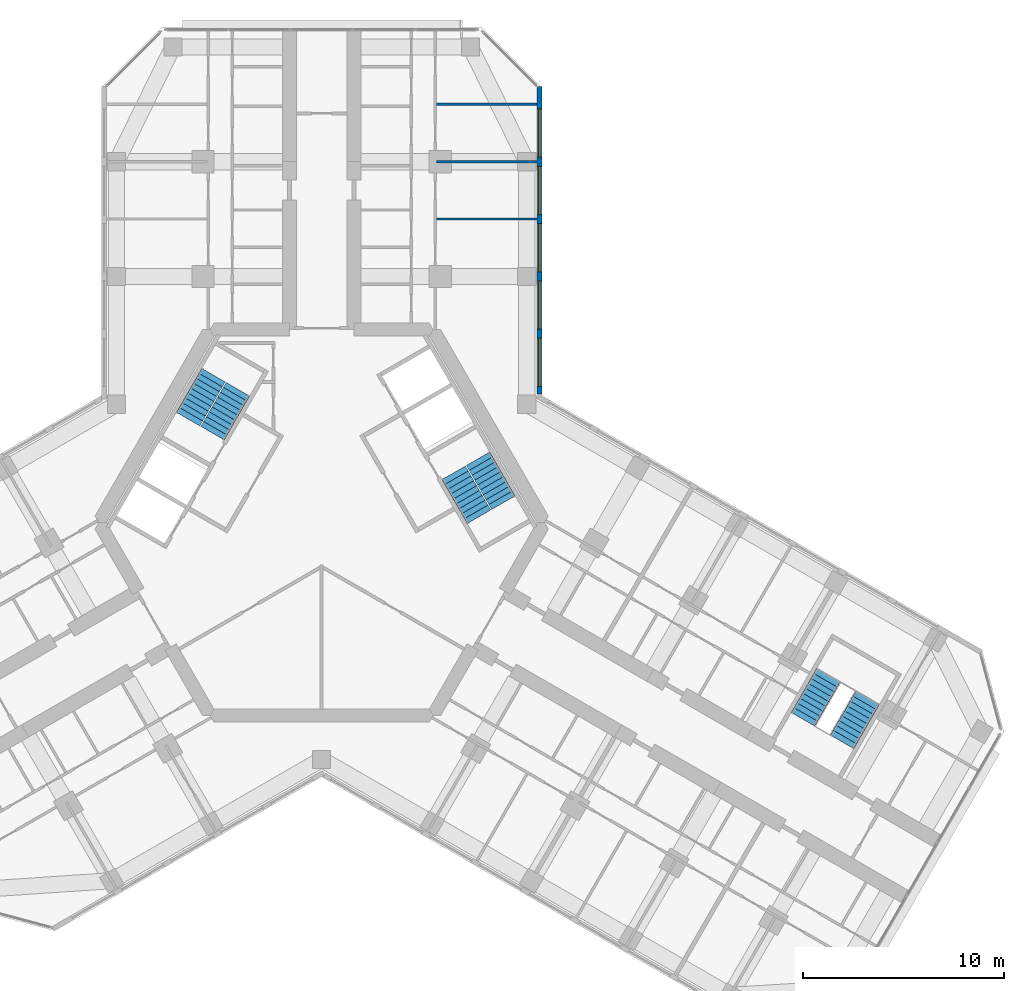
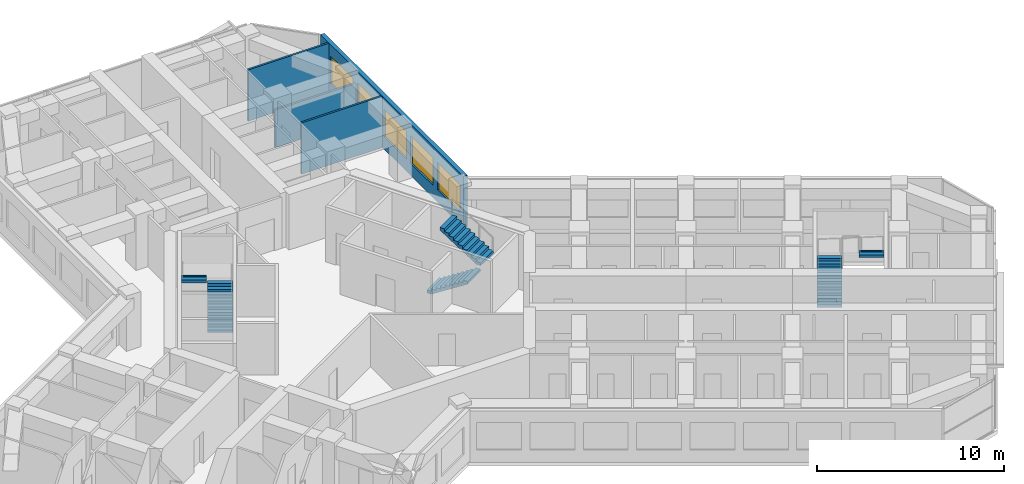
# One storey, part 15 of 16: 6 stair flights, 5 windows, 4 walls, 5 openings, 3 elements without a shape of their own.
"""IFC4 building model written with IfcOpenShell, lengths in metres."""

from ifc_helpers import new_model, si_unit, direction, frame, frame_2d, origin, place, context, subcontext, project, spatial, polyline, rectangle, outline, extrude, material, layer, layer_set, type_object, element, fill, aggregate, save


model = new_model("IFC4")

# Units and contexts
model_context = context("Model", 3, precision=1e-05, world=origin(), true_north=direction((0.0, 1.0)))
body_context = subcontext(model_context, "Body", "Model", "MODEL_VIEW")
ifc_project = project(units=[si_unit("LENGTHUNIT", "METRE"), si_unit("AREAUNIT", "SQUARE_METRE"), si_unit("VOLUMEUNIT", "CUBIC_METRE"), si_unit("PLANEANGLEUNIT", "RADIAN"), si_unit("MASSUNIT", "GRAM", prefix="KILO")], contexts=[model_context])

# Site, building, storey
site_placement = place(None, origin())
site = spatial("IfcSite", under=ifc_project, at=site_placement, CompositionType="ELEMENT")
building_placement = place(site_placement, origin())
building = spatial("IfcBuilding", under=site, at=building_placement, Name="Kosmar Iwan School Tower", CompositionType="ELEMENT")
storey_placement = place(building_placement, frame((0.0, 0.0, 204.60009765625)))
storey = spatial("IfcBuildingStorey", under=building, at=storey_placement, Name="L51", CompositionType="ELEMENT", Elevation=204.60009765625)

# Walls
ifc_material_1 = material(Name="Gypsum board on steel studs", Category="steel")
ifc_layer_1 = layer(ifc_material_1, 0.1201171875)
ifc_layer_set_1 = layer_set([ifc_layer_1], Name="Dwelling partition 120")
wall_type_1 = type_object("IfcWallType", Name="Dwelling partition 120", PredefinedType="PARTITIONING", material=ifc_layer_set_1)
wall_1_placement = place(storey_placement, frame((5.7099609375, 15.10009765625, 0.0), z_axis=(0.0, 0.0, 1.0), x_axis=(1.0, 0.0, 0.0)))
element("IfcWall", 1, at=wall_1_placement, inside=storey, type_object=wall_type_1, Name="Partition L51-AR1-X1", PredefinedType="PARTITIONING", context=body_context, shape_type="SweptSolid", body=[
    extrude(rectangle(XDim=4.989990234375, YDim=0.1201171875, at=frame_2d((2.4951171875, 0.0))), origin(), (0.0, 0.0, 1.0), 3.349853515625),
])
wall_2_placement = place(storey_placement, frame((5.7099609375, 17.949951171875, 0.0), z_axis=(0.0, 0.0, 1.0), x_axis=(1.0, 0.0, 0.0)))
element("IfcWall", 2, at=wall_2_placement, inside=storey, type_object=wall_type_1, Name="Partition L51-AR1-X2", PredefinedType="PARTITIONING", context=body_context, shape_type="SweptSolid", body=[
    extrude(rectangle(XDim=4.989990234375, YDim=0.1201171875, at=frame_2d((2.4951171875, 0.0))), origin(), (0.0, 0.0, 1.0), 2.449951171875),
])
wall_3_placement = place(storey_placement, frame((5.7099609375, 20.800048828125, 0.0), z_axis=(0.0, 0.0, 1.0), x_axis=(1.0, 0.0, 0.0)))
element("IfcWall", 3, at=wall_3_placement, inside=storey, type_object=wall_type_1, Name="Partition L51-AR1-X3", PredefinedType="PARTITIONING", context=body_context, shape_type="SweptSolid", body=[
    extrude(rectangle(XDim=4.989990234375, YDim=0.1201171875, at=frame_2d((2.4951171875, 0.0))), origin(), (0.0, 0.0, 1.0), 3.349853515625),
])

# Wall, openings, windows
ifc_material_2 = material(Name="Black aluminium rainscreen on insulated framing", Category="aluminium")
ifc_layer_2 = layer(ifc_material_2, 0.25)
ifc_layer_set_2 = layer_set([ifc_layer_2], Name="External wall rainscreen 250")
wall_type_2 = type_object("IfcWallType", Name="External wall rainscreen 250", PredefinedType="SOLIDWALL", material=ifc_layer_set_2)
wall_4_placement = place(storey_placement, frame((10.824951171875, 6.408935546875, 0.0), z_axis=(0.0, 0.0, 1.0), x_axis=(0.0, 1.0, 0.0)))
wall_4 = element("IfcWall", 4, at=wall_4_placement, inside=storey, type_object=wall_type_2, Name="External wall AR L51", PredefinedType="SOLIDWALL", context=body_context, shape_type="SweptSolid", body=[
    extrude(rectangle(XDim=15.2763671875, YDim=0.25, at=frame_2d((7.63818359375, 0.0))), origin(), (0.0, 0.0, 1.0), 3.349853515625),
])
opening_1_placement = place(wall_4_placement, frame((0.365966796875, 0.0, 0.800048828125)))
opening_1 = element("IfcOpeningElement", 5, at=opening_1_placement, cuts=wall_4, Name="Opening W5", PredefinedType="OPENING", context=body_context, shape_type="SweptSolid", body=[
    extrude(rectangle(XDim=2.39990234375, YDim=1.800048828125, at=frame_2d((1.199951171875, 0.89990234375))), frame((0.0, 0.136962890625, 0.0), z_axis=(0.0, -1.0, 0.0), x_axis=(1.0, 0.0, 0.0)), (0.0, 0.0, 1.0), 0.27392578125),
])
opening_2_placement = place(wall_4_placement, frame((3.216064453125, 0.0, 0.800048828125)))
opening_2 = element("IfcOpeningElement", 6, at=opening_2_placement, cuts=wall_4, Name="Opening W5", PredefinedType="OPENING", context=body_context, shape_type="SweptSolid", body=[
    extrude(rectangle(XDim=2.39990234375, YDim=1.800048828125, at=frame_2d((1.199951171875, 0.89990234375))), frame((0.0, 0.136962890625, 0.0), z_axis=(0.0, -1.0, 0.0), x_axis=(1.0, 0.0, 0.0)), (0.0, 0.0, 1.0), 0.27392578125),
])
opening_3_placement = place(wall_4_placement, frame((6.06591796875, 0.0, 0.800048828125)))
opening_3 = element("IfcOpeningElement", 7, at=opening_3_placement, cuts=wall_4, Name="Opening W5", PredefinedType="OPENING", context=body_context, shape_type="SweptSolid", body=[
    extrude(rectangle(XDim=2.39990234375, YDim=1.800048828125, at=frame_2d((1.199951171875, 0.89990234375))), frame((0.0, 0.136962890625, 0.0), z_axis=(0.0, -1.0, 0.0), x_axis=(1.0, 0.0, 0.0)), (0.0, 0.0, 1.0), 0.27392578125),
])
opening_4_placement = place(wall_4_placement, frame((8.916015625, 0.0, 0.800048828125)))
opening_4 = element("IfcOpeningElement", 8, at=opening_4_placement, cuts=wall_4, Name="Opening W5", PredefinedType="OPENING", context=body_context, shape_type="SweptSolid", body=[
    extrude(rectangle(XDim=2.39990234375, YDim=1.800048828125, at=frame_2d((1.199951171875, 0.89990234375))), frame((0.0, 0.136962890625, 0.0), z_axis=(0.0, -1.0, 0.0), x_axis=(1.0, 0.0, 0.0)), (0.0, 0.0, 1.0), 0.27392578125),
])
opening_5_placement = place(wall_4_placement, frame((11.76611328125, 0.0, 0.800048828125)))
opening_5 = element("IfcOpeningElement", 9, at=opening_5_placement, cuts=wall_4, Name="Opening W5", PredefinedType="OPENING", context=body_context, shape_type="SweptSolid", body=[
    extrude(rectangle(XDim=2.39990234375, YDim=1.800048828125, at=frame_2d((1.199951171875, 0.89990234375))), frame((0.0, 0.136962890625, 0.0), z_axis=(0.0, -1.0, 0.0), x_axis=(1.0, 0.0, 0.0)), (0.0, 0.0, 1.0), 0.27392578125),
])
ifc_material_3 = material(Name="Black aluminium frame with dark triple glazing", Category="aluminium")
window_type = type_object("IfcWindowType", Name="Window 2400x1800", PartitioningType="SINGLE_PANEL", PredefinedType="WINDOW", material=ifc_material_3)
window_1_placement = place(opening_1_placement, origin())
window_1 = element("IfcWindow", 10, at=window_1_placement, inside=storey, type_object=window_type, Name="Window AR L51 -1", OverallHeight=1.800048828125, OverallWidth=2.39990234375, PartitioningType="SINGLE_PANEL", PredefinedType="WINDOW", context=body_context, shape_type="SweptSolid", body=[
    extrude(rectangle(XDim=2.39990234375, YDim=1.800048828125, at=frame_2d((1.199951171875, 0.89990234375))), frame((0.0, 0.030029296875, 0.0), z_axis=(0.0, -1.0, 0.0), x_axis=(1.0, 0.0, 0.0)), (0.0, 0.0, 1.0), 0.06005859375),
])
fill(opening_1, window_1)
window_2_placement = place(opening_2_placement, origin())
window_2 = element("IfcWindow", 11, at=window_2_placement, inside=storey, type_object=window_type, Name="Window AR L51 0", OverallHeight=1.800048828125, OverallWidth=2.39990234375, PartitioningType="SINGLE_PANEL", PredefinedType="WINDOW", context=body_context, shape_type="SweptSolid", body=[
    extrude(rectangle(XDim=2.39990234375, YDim=1.800048828125, at=frame_2d((1.199951171875, 0.89990234375))), frame((0.0, 0.030029296875, 0.0), z_axis=(0.0, -1.0, 0.0), x_axis=(1.0, 0.0, 0.0)), (0.0, 0.0, 1.0), 0.06005859375),
])
fill(opening_2, window_2)
window_3_placement = place(opening_3_placement, origin())
window_3 = element("IfcWindow", 12, at=window_3_placement, inside=storey, type_object=window_type, Name="Window AR L51 1", OverallHeight=1.800048828125, OverallWidth=2.39990234375, PartitioningType="SINGLE_PANEL", PredefinedType="WINDOW", context=body_context, shape_type="SweptSolid", body=[
    extrude(rectangle(XDim=2.39990234375, YDim=1.800048828125, at=frame_2d((1.199951171875, 0.89990234375))), frame((0.0, 0.030029296875, 0.0), z_axis=(0.0, -1.0, 0.0), x_axis=(1.0, 0.0, 0.0)), (0.0, 0.0, 1.0), 0.06005859375),
])
fill(opening_3, window_3)
window_4_placement = place(opening_4_placement, origin())
window_4 = element("IfcWindow", 13, at=window_4_placement, inside=storey, type_object=window_type, Name="Window AR L51 2", OverallHeight=1.800048828125, OverallWidth=2.39990234375, PartitioningType="SINGLE_PANEL", PredefinedType="WINDOW", context=body_context, shape_type="SweptSolid", body=[
    extrude(rectangle(XDim=2.39990234375, YDim=1.800048828125, at=frame_2d((1.199951171875, 0.89990234375))), frame((0.0, 0.030029296875, 0.0), z_axis=(0.0, -1.0, 0.0), x_axis=(1.0, 0.0, 0.0)), (0.0, 0.0, 1.0), 0.06005859375),
])
fill(opening_4, window_4)
window_5_placement = place(opening_5_placement, origin())
window_5 = element("IfcWindow", 14, at=window_5_placement, inside=storey, type_object=window_type, Name="Window AR L51 3", OverallHeight=1.800048828125, OverallWidth=2.39990234375, PartitioningType="SINGLE_PANEL", PredefinedType="WINDOW", context=body_context, shape_type="SweptSolid", body=[
    extrude(rectangle(XDim=2.39990234375, YDim=1.800048828125, at=frame_2d((1.199951171875, 0.89990234375))), frame((0.0, 0.030029296875, 0.0), z_axis=(0.0, -1.0, 0.0), x_axis=(1.0, 0.0, 0.0)), (0.0, 0.0, 1.0), 0.06005859375),
])
fill(opening_5, window_5)

# Stair, stair flights
ifc_material_4 = material(Name="Concrete C35/45", Category="concrete")
stair_type_1 = type_object("IfcStairType", Name="Escape stair 3600", PredefinedType="HALF_TURN_STAIR", material=ifc_material_4)
stair_1_placement = place(storey_placement, origin())
stair_1 = element("IfcStair", 15, at=stair_1_placement, inside=storey, type_object=stair_type_1, Name="Stair WS3 L51", PredefinedType="HALF_TURN_STAIR")
ifc_material_5 = material(Name="Concrete C35/45", Category="concrete")
stair_flight_type_1 = type_object("IfcStairFlightType", Name="Escape stair flight 1350", PredefinedType="STRAIGHT", material=ifc_material_5)
stair_flight_1_placement = place(storey_placement, frame((23.94189453125, -9.781494140625, 0.0), z_axis=(0.0, 0.0, 1.0), x_axis=(0.5, 0.866025403784, 0.0)))
stair_flight_1 = element("IfcStairFlight", 16, at=stair_flight_1_placement, type_object=stair_flight_type_1, Name="WS3 flight 1", NumberOfRisers=10, NumberOfTreads=9, PredefinedType="STRAIGHT", RiserHeight=0.18, TreadLength=0.28, context=body_context, shape_type="SweptSolid", body=[
    extrude(outline(polyline([(0.0, 0.0), (0.0, 0.179931640625), (0.280029296875, 0.179931640625), (0.280029296875, 0.360107421875), (0.56005859375, 0.360107421875), (0.56005859375, 0.5400390625), (0.840087890625, 0.5400390625), (0.840087890625, 0.719970703125), (1.1201171875, 0.719970703125), (1.1201171875, 0.89990234375), (1.39990234375, 0.89990234375), (1.39990234375, 1.080078125), (1.679931640625, 1.080078125), (1.679931640625, 1.260009765625), (1.9599609375, 1.260009765625), (1.9599609375, 1.43994140625), (2.239990234375, 1.43994140625), (2.239990234375, 1.6201171875), (2.52001953125, 1.6201171875), (2.52001953125, 1.800048828125), (2.52001953125, 1.44189453125), (0.277099609375, 0.0), (0.0, 0.0)])), frame((0.0, 0.675048828125, 0.0), z_axis=(0.0, -1.0, 0.0), x_axis=(1.0, 0.0, 0.0)), (0.0, 0.0, 1.0), 1.35009765625),
])
stair_flight_2_placement = place(storey_placement, frame((27.150390625, -8.72412109375, 1.7998046875), z_axis=(0.0, 0.0, 1.0), x_axis=(-0.5, -0.866025403784, 0.0)))
stair_flight_2 = element("IfcStairFlight", 17, at=stair_flight_2_placement, type_object=stair_flight_type_1, Name="WS3 flight 2", NumberOfRisers=10, NumberOfTreads=9, PredefinedType="STRAIGHT", RiserHeight=0.18, TreadLength=0.28, context=body_context, shape_type="SweptSolid", body=[
    extrude(outline(polyline([(0.0, 0.0), (0.0, 0.179931640625), (0.280029296875, 0.179931640625), (0.280029296875, 0.360107421875), (0.56005859375, 0.360107421875), (0.56005859375, 0.5400390625), (0.840087890625, 0.5400390625), (0.840087890625, 0.719970703125), (1.1201171875, 0.719970703125), (1.1201171875, 0.89990234375), (1.39990234375, 0.89990234375), (1.39990234375, 1.080078125), (1.679931640625, 1.080078125), (1.679931640625, 1.260009765625), (1.9599609375, 1.260009765625), (1.9599609375, 1.43994140625), (2.239990234375, 1.43994140625), (2.239990234375, 1.6201171875), (2.52001953125, 1.6201171875), (2.52001953125, 1.800048828125), (2.52001953125, 1.44189453125), (0.277099609375, 0.0), (0.0, 0.0)])), frame((0.0, 0.675048828125, 0.0), z_axis=(0.0, -1.0, 0.0), x_axis=(1.0, 0.0, 0.0)), (0.0, 0.0, 1.0), 1.35009765625),
])
aggregate(stair_1, [stair_flight_1, stair_flight_2])

ifc_material_6 = material(Name="Concrete C35/45", Category="concrete")
stair_type_2 = type_object("IfcStairType", Name="Core stair 2750", PredefinedType="HALF_TURN_STAIR", material=ifc_material_6)
stair_2_placement = place(storey_placement, origin())
stair_2 = element("IfcStair", 18, at=stair_2_placement, inside=storey, type_object=stair_type_2, Name="Stair ST2 L51", PredefinedType="HALF_TURN_STAIR")
ifc_material_7 = material(Name="Concrete C35/45", Category="concrete")
stair_flight_type_2 = type_object("IfcStairFlightType", Name="Stair flight 1350", PredefinedType="STRAIGHT", material=ifc_material_7)
stair_flight_3_placement = place(storey_placement, frame((-5.42724609375, 4.44970703125, 0.0), z_axis=(0.0, 0.0, 1.0), x_axis=(0.5, 0.866025403784, 0.0)))
stair_flight_3 = element("IfcStairFlight", 19, at=stair_flight_3_placement, type_object=stair_flight_type_2, Name="ST2 flight 1", NumberOfRisers=10, NumberOfTreads=9, PredefinedType="STRAIGHT", RiserHeight=0.18, TreadLength=0.28, context=body_context, shape_type="SweptSolid", body=[
    extrude(outline(polyline([(0.0, 0.0), (0.0, 0.179931640625), (0.280029296875, 0.179931640625), (0.280029296875, 0.360107421875), (0.56005859375, 0.360107421875), (0.56005859375, 0.5400390625), (0.840087890625, 0.5400390625), (0.840087890625, 0.719970703125), (1.1201171875, 0.719970703125), (1.1201171875, 0.89990234375), (1.39990234375, 0.89990234375), (1.39990234375, 1.080078125), (1.679931640625, 1.080078125), (1.679931640625, 1.260009765625), (1.9599609375, 1.260009765625), (1.9599609375, 1.43994140625), (2.239990234375, 1.43994140625), (2.239990234375, 1.6201171875), (2.52001953125, 1.6201171875), (2.52001953125, 1.800048828125), (2.52001953125, 1.44189453125), (0.277099609375, 0.0), (0.0, 0.0)])), frame((0.0, 0.675048828125, 0.0), z_axis=(0.0, -1.0, 0.0), x_axis=(1.0, 0.0, 0.0)), (0.0, 0.0, 1.0), 1.35009765625),
])
stair_flight_4_placement = place(storey_placement, frame((-5.379638671875, 7.33203125, 1.7998046875), z_axis=(0.0, 0.0, 1.0), x_axis=(-0.5, -0.866025403784, 0.0)))
stair_flight_4 = element("IfcStairFlight", 20, at=stair_flight_4_placement, type_object=stair_flight_type_2, Name="ST2 flight 2", NumberOfRisers=10, NumberOfTreads=9, PredefinedType="STRAIGHT", RiserHeight=0.18, TreadLength=0.28, context=body_context, shape_type="SweptSolid", body=[
    extrude(outline(polyline([(0.0, 0.0), (0.0, 0.179931640625), (0.280029296875, 0.179931640625), (0.280029296875, 0.360107421875), (0.56005859375, 0.360107421875), (0.56005859375, 0.5400390625), (0.840087890625, 0.5400390625), (0.840087890625, 0.719970703125), (1.1201171875, 0.719970703125), (1.1201171875, 0.89990234375), (1.39990234375, 0.89990234375), (1.39990234375, 1.080078125), (1.679931640625, 1.080078125), (1.679931640625, 1.260009765625), (1.9599609375, 1.260009765625), (1.9599609375, 1.43994140625), (2.239990234375, 1.43994140625), (2.239990234375, 1.6201171875), (2.52001953125, 1.6201171875), (2.52001953125, 1.800048828125), (2.52001953125, 1.44189453125), (0.277099609375, 0.0), (0.0, 0.0)])), frame((0.0, 0.675048828125, 0.0), z_axis=(0.0, -1.0, 0.0), x_axis=(1.0, 0.0, 0.0)), (0.0, 0.0, 1.0), 1.35009765625),
])
aggregate(stair_2, [stair_flight_3, stair_flight_4])

stair_3_placement = place(storey_placement, origin())
stair_3 = element("IfcStair", 21, at=stair_3_placement, inside=storey, type_object=stair_type_2, Name="Stair ST1 L51", PredefinedType="HALF_TURN_STAIR")
stair_flight_5_placement = place(storey_placement, frame((6.567138671875, 2.475341796875, 0.0), z_axis=(0.0, 0.0, 1.0), x_axis=(0.5, -0.866025403784, 0.0)))
stair_flight_5 = element("IfcStairFlight", 22, at=stair_flight_5_placement, type_object=stair_flight_type_2, Name="ST1 flight 1", NumberOfRisers=10, NumberOfTreads=9, PredefinedType="STRAIGHT", RiserHeight=0.18, TreadLength=0.28, context=body_context, shape_type="SweptSolid", body=[
    extrude(outline(polyline([(0.0, 0.0), (0.0, 0.179931640625), (0.280029296875, 0.179931640625), (0.280029296875, 0.360107421875), (0.56005859375, 0.360107421875), (0.56005859375, 0.5400390625), (0.840087890625, 0.5400390625), (0.840087890625, 0.719970703125), (1.1201171875, 0.719970703125), (1.1201171875, 0.89990234375), (1.39990234375, 0.89990234375), (1.39990234375, 1.080078125), (1.679931640625, 1.080078125), (1.679931640625, 1.260009765625), (1.9599609375, 1.260009765625), (1.9599609375, 1.43994140625), (2.239990234375, 1.43994140625), (2.239990234375, 1.6201171875), (2.52001953125, 1.6201171875), (2.52001953125, 1.800048828125), (2.52001953125, 1.44189453125), (0.277099609375, 0.0), (0.0, 0.0)])), frame((0.0, 0.675048828125, 0.0), z_axis=(0.0, -1.0, 0.0), x_axis=(1.0, 0.0, 0.0)), (0.0, 0.0, 1.0), 1.35009765625),
])
stair_flight_6_placement = place(storey_placement, frame((9.03955078125, 0.992919921875, 1.7998046875), z_axis=(0.0, 0.0, 1.0), x_axis=(-0.5, 0.866025403784, 0.0)))
stair_flight_6 = element("IfcStairFlight", 23, at=stair_flight_6_placement, type_object=stair_flight_type_2, Name="ST1 flight 2", NumberOfRisers=10, NumberOfTreads=9, PredefinedType="STRAIGHT", RiserHeight=0.18, TreadLength=0.28, context=body_context, shape_type="SweptSolid", body=[
    extrude(outline(polyline([(0.0, 0.0), (0.0, 0.179931640625), (0.280029296875, 0.179931640625), (0.280029296875, 0.360107421875), (0.56005859375, 0.360107421875), (0.56005859375, 0.5400390625), (0.840087890625, 0.5400390625), (0.840087890625, 0.719970703125), (1.1201171875, 0.719970703125), (1.1201171875, 0.89990234375), (1.39990234375, 0.89990234375), (1.39990234375, 1.080078125), (1.679931640625, 1.080078125), (1.679931640625, 1.260009765625), (1.9599609375, 1.260009765625), (1.9599609375, 1.43994140625), (2.239990234375, 1.43994140625), (2.239990234375, 1.6201171875), (2.52001953125, 1.6201171875), (2.52001953125, 1.800048828125), (2.52001953125, 1.44189453125), (0.277099609375, 0.0), (0.0, 0.0)])), frame((0.0, 0.675048828125, 0.0), z_axis=(0.0, -1.0, 0.0), x_axis=(1.0, 0.0, 0.0)), (0.0, 0.0, 1.0), 1.35009765625),
])
aggregate(stair_3, [stair_flight_5, stair_flight_6])

save(model, "model.ifc")
